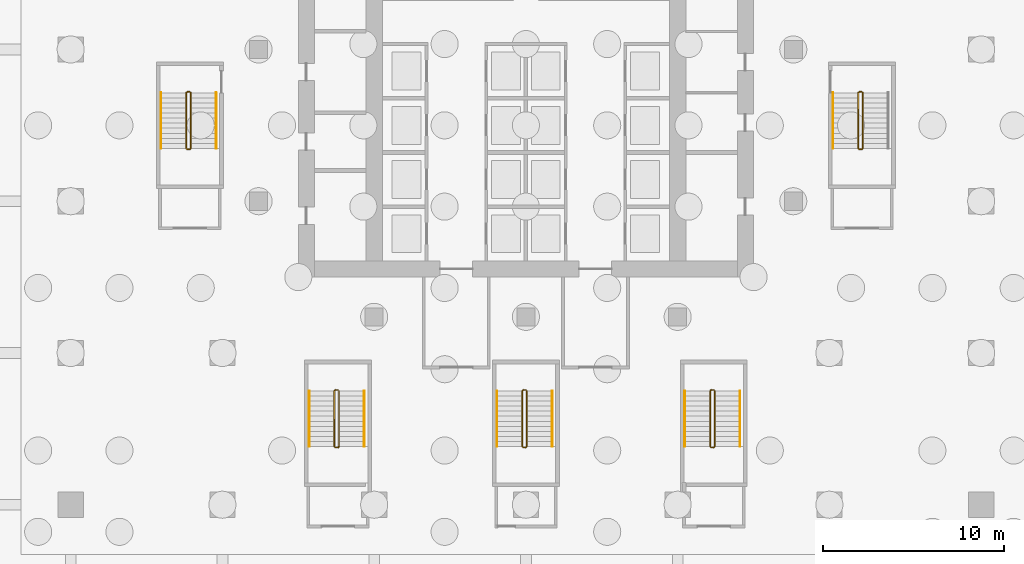
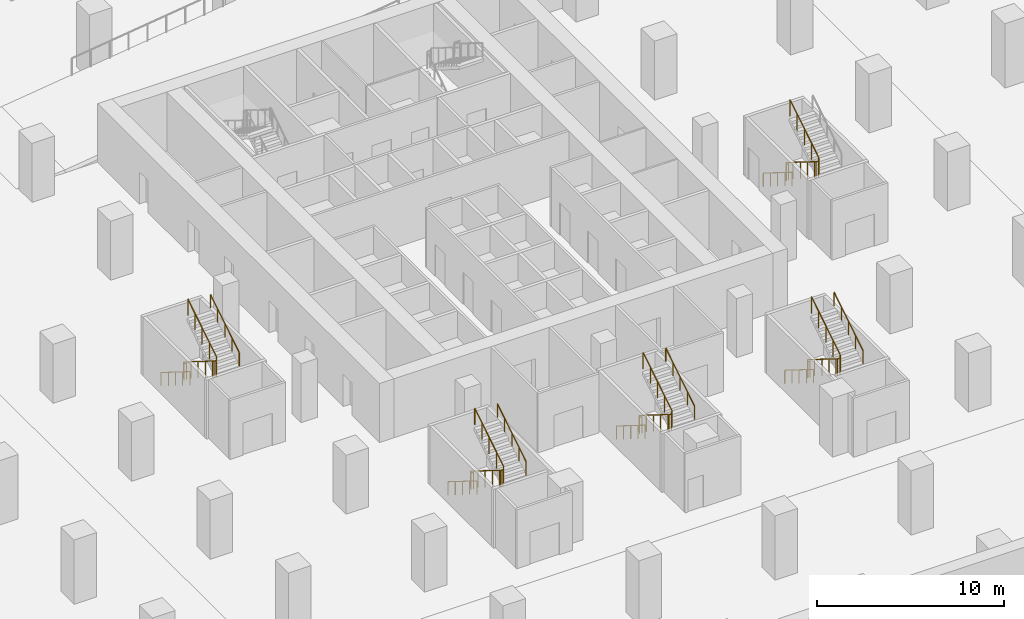
# One storey, part 17 of 22: 14 railings.
"""IFC4 building model written with IfcOpenShell, lengths in metres."""

import ifcopenshell
import ifcopenshell.guid

model = None  # the IFC model being written
_history = None  # IfcOwnerHistory: only IFC2X3 demands one
_inside = {}  # id of a spatial element -> (the spatial element, [elements in it])
_under = {}  # id of a project, library or spatial element -> (it, [spatial elements below it])
_declared = {}  # id of a project -> (the project, [libraries it declares])
_typed = {}  # id of a type object -> (the type object, [elements of that type])
_made_of = {}  # id of a material, layer set ... -> (it, [elements and type objects made of it])


def new_model(schema):
    """Start an empty IFC model of exactly this schema.

    Asked for "IFC4X3", IfcOpenShell would pick the latest addendum, in which some entities
    have other attributes; the version numbers below select the first issue.
    IFC2X3 requires an IfcOwnerHistory on every rooted entity: one is made here for all.
    """
    global model, _history
    if schema == "IFC4X3":
        model = ifcopenshell.file(schema_version=(4, 3, 0, 0))
    else:
        model = ifcopenshell.file(schema=schema)
    _inside.clear()
    _under.clear()
    _declared.clear()
    _typed.clear()
    _made_of.clear()
    _history = None
    if model.schema == "IFC2X3":
        org = make("IfcOrganization", Name="unknown")
        user = make(
            "IfcPersonAndOrganization",
            ThePerson=make("IfcPerson", FamilyName="unknown"),
            TheOrganization=org,
        )
        app = make(
            "IfcApplication",
            ApplicationDeveloper=org,
            Version="unknown",
            ApplicationFullName="unknown",
            ApplicationIdentifier="unknown",
        )
        _history = make(
            "IfcOwnerHistory",
            OwningUser=user,
            OwningApplication=app,
            ChangeAction="ADDED",
            CreationDate=0,
        )
    return model


def make(cls, **values):
    """One entity of the class cls with the attributes given. An attribute that is None is left unset."""
    return model.create_entity(
        cls, **{name: value for name, value in values.items() if value is not None}
    )


def rooted(cls, **values):
    """An entity with a GlobalId (a new one), such as an element, a storey or a relation."""
    return make(cls, GlobalId=ifcopenshell.guid.new(), OwnerHistory=_history, **values)


def si_unit(unit_type, name, prefix=None):
    """IfcSIUnit, for example si_unit("LENGTHUNIT", "METRE", prefix="MILLI")."""
    return make("IfcSIUnit", UnitType=unit_type, Prefix=prefix, Name=name)


def assignment(units):
    """IfcUnitAssignment: the units of a project."""
    return None if units is None else make("IfcUnitAssignment", Units=units)


def point(xyz):
    """IfcCartesianPoint."""
    return None if xyz is None else make("IfcCartesianPoint", Coordinates=xyz)


def direction(xyz):
    """IfcDirection."""
    return None if xyz is None else make("IfcDirection", DirectionRatios=xyz)


def frame(location, z_axis=None, x_axis=None):
    """IfcAxis2Placement3D, a coordinate frame: its origin and axes. An axis left out is left unset."""
    return make(
        "IfcAxis2Placement3D",
        Location=point(location),
        Axis=direction(z_axis),
        RefDirection=direction(x_axis),
    )


def frame_2d(location, x_axis=None):
    """IfcAxis2Placement2D, a coordinate frame in the plane: its origin and x axis."""
    return make(
        "IfcAxis2Placement2D", Location=point(location), RefDirection=direction(x_axis)
    )


def origin():
    """The frame at (0, 0, 0) with its axes left unset."""
    return frame((0.0, 0.0, 0.0))


def origin_2d():
    """The frame at (0, 0) in the plane with its x axis left unset."""
    return frame_2d((0.0, 0.0))


def place(relative_to, where):
    """IfcLocalPlacement: puts the frame where relative to a parent placement (None: the world)."""
    return make(
        "IfcLocalPlacement", PlacementRelTo=relative_to, RelativePlacement=where
    )


def context(
    kind, dimensions, precision=None, world=None, true_north=None, identifier=None
):
    """IfcGeometricRepresentationContext, for example the 3D "Model" context."""
    return make(
        "IfcGeometricRepresentationContext",
        ContextIdentifier=identifier,
        ContextType=kind,
        CoordinateSpaceDimension=dimensions,
        Precision=precision,
        WorldCoordinateSystem=world,
        TrueNorth=true_north,
    )


def subcontext(parent, identifier, kind, view, scale=None):
    """IfcGeometricRepresentationSubContext, for example "Body" below "Model"."""
    return make(
        "IfcGeometricRepresentationSubContext",
        ContextIdentifier=identifier,
        ContextType=kind,
        ParentContext=parent,
        TargetScale=scale,
        TargetView=view,
    )


def project(units=None, contexts=None):
    """IfcProject with its units and contexts."""
    return rooted(
        "IfcProject",
        Name="project",
        RepresentationContexts=contexts,
        UnitsInContext=assignment(units),
    )


def spatial(cls, under=None, at=None, **own):
    """A site, building, storey or space (cls), placed at a placement, below another one or the project."""
    s = rooted(cls, ObjectPlacement=at, **own)
    if under is not None:
        _under.setdefault(under.id(), (under, []))[1].append(s)
    return s


def profile(cls, at=None, kind="AREA", **sizes):
    """A parametric profile (cls). Its sizes go by their IFC names, for example OverallWidth=200.0."""
    return make(cls, ProfileType=kind, Position=at, **sizes)


def rectangle(**sizes):
    """IfcRectangleProfileDef."""
    return profile("IfcRectangleProfileDef", **sizes)


def extrude(swept, where, along, depth):
    """IfcExtrudedAreaSolid: the profile swept, set in the frame where, extruded along a direction by depth."""
    return make(
        "IfcExtrudedAreaSolid",
        SweptArea=swept,
        Position=where,
        ExtrudedDirection=direction(along),
        Depth=depth,
    )


def shape(context_of_items, identifier, shape_type, items):
    """IfcShapeRepresentation: the items that make up one representation, for example the "Body"."""
    return make(
        "IfcShapeRepresentation",
        ContextOfItems=context_of_items,
        RepresentationIdentifier=identifier,
        RepresentationType=shape_type,
        Items=items,
    )


def material(Name=None, Category=None):
    """IfcMaterial."""
    return make("IfcMaterial", Name=Name, Category=Category)


def made_of(thing, what):
    """Note that an element or type object is made of a material, layer set ...; save() writes the relation."""
    if what is not None:
        _made_of.setdefault(what.id(), (what, []))[1].append(thing)
    return thing


def type_object(cls, material=None, **own):
    """A type object (cls), such as IfcWallType, which elements share."""
    return made_of(rooted(cls, **own), material)


def element(
    cls,
    number,
    at=None,
    inside=None,
    cuts=None,
    type_object=None,
    material=None,
    context=None,
    identifier="Body",
    shape_type=None,
    held_by="IfcProductDefinitionShape",
    body=None,
    shapes=None,
    **own,
):
    """One element of the class cls, such as IfcWall. Its Tag is "e" and its number.

    at: its placement. inside: the storey or other place that contains it. cuts: it is an
    opening in that element (IfcRelVoidsElement). A single representation is given by context,
    identifier, shape_type and body (its items); several are given by shapes. held_by: the class
    of the entity that holds the representations. save() writes the other relations.
    """
    e = rooted(cls, Tag="e%d" % number, ObjectPlacement=at, **own)
    if body is not None:
        shapes = [shape(context, identifier, shape_type, body)]
    if shapes is not None:
        e.Representation = make(held_by, Representations=shapes)
    if inside is not None:
        _inside.setdefault(inside.id(), (inside, []))[1].append(e)
    if cuts is not None:
        rooted(
            "IfcRelVoidsElement", RelatingBuildingElement=cuts, RelatedOpeningElement=e
        )
    if type_object is not None:
        _typed.setdefault(type_object.id(), (type_object, []))[1].append(e)
    return made_of(e, material)


def aggregate(whole, parts):
    """IfcRelAggregates: a whole, such as a stair, and the parts it consists of."""
    return rooted("IfcRelAggregates", RelatingObject=whole, RelatedObjects=parts)


def save(model, path):
    """Write the relations noted so far, then the file.

    IfcRelAggregates (storeys below a building ...), IfcRelContainedInSpatialStructure (elements
    in a storey), IfcRelDefinesByType, IfcRelAssociatesMaterial and IfcRelDeclares: one each for
    every whole, place, type object, material and project.
    """
    for whole, parts in _under.values():
        aggregate(whole, parts)
    for where, things in _inside.values():
        rooted(
            "IfcRelContainedInSpatialStructure",
            RelatedElements=things,
            RelatingStructure=where,
        )
    for kind, things in _typed.values():
        rooted("IfcRelDefinesByType", RelatedObjects=things, RelatingType=kind)
    for what, things in _made_of.values():
        rooted("IfcRelAssociatesMaterial", RelatedObjects=things, RelatingMaterial=what)
    for by, libraries in _declared.values():
        rooted("IfcRelDeclares", RelatingContext=by, RelatedDefinitions=libraries)
    model.write(path)


model = new_model("IFC4")

# Units and contexts
model_context = context("Model", 3, precision=1e-05, world=origin(), true_north=direction((0.0, 1.0)))
body_context = subcontext(model_context, "Body", "Model", "MODEL_VIEW")
ifc_project = project(units=[si_unit("LENGTHUNIT", "METRE"), si_unit("AREAUNIT", "SQUARE_METRE"), si_unit("VOLUMEUNIT", "CUBIC_METRE"), si_unit("PLANEANGLEUNIT", "RADIAN"), si_unit("MASSUNIT", "GRAM", prefix="KILO")], contexts=[model_context])

# Site, building, storey
site_placement = place(None, origin())
site = spatial("IfcSite", under=ifc_project, at=site_placement, CompositionType="ELEMENT")
building_placement = place(site_placement, origin())
building = spatial("IfcBuilding", under=site, at=building_placement, Name="Vermilion Ogive Tower", CompositionType="ELEMENT")
storey_placement = place(building_placement, frame((0.0, 0.0, -8.39990234375)))
storey = spatial("IfcBuildingStorey", under=building, at=storey_placement, Name="B2", CompositionType="ELEMENT", Elevation=-8.39990234375)

# Railings
ifc_material_1 = material(Name="Steel S355 painted", Category="steel")
railing_type_1 = type_object("IfcRailingType", Name="Stair guard 1100", PredefinedType="GUARDRAIL", material=ifc_material_1)
railing_1_placement = place(storey_placement, frame((-10.39990234375, -14.64990234375, 0.0)))
element("IfcRailing", 1, at=railing_1_placement, inside=storey, type_object=railing_type_1, Name="B2 ST3 stair guard 4", PredefinedType="GUARDRAIL", context=body_context, shape_type="SweptSolid", body=[
    extrude(rectangle(XDim=0.048095703125, YDim=0.048095703125, at=origin_2d()), frame((0.0, 0.0, 1.076171875), z_axis=(-1.0, 0.0, 0.0), x_axis=(0.0, -1.0, 0.0)), (0.0, 0.0, 1.0), 0.150146484375),
    extrude(rectangle(XDim=0.048095703125, YDim=0.048095703125, at=origin_2d()), frame((-0.150146484375, 0.0, 1.076171875), z_axis=(-0.265383341853, -0.265383341853, 0.926899867156), x_axis=(0.707106781187, -0.707106781187, 0.0)), (0.0, 0.0, 1.0), 0.1884765625),
    extrude(rectangle(XDim=0.048095703125, YDim=0.048095703125, at=origin_2d()), frame((-0.2001953125, -0.050048828125, 1.2509765625), z_axis=(0.0, -0.847998304005, 0.529998940003), x_axis=(1.0, 0.0, 0.0)), (0.0, 0.0, 1.0), 3.632080078125),
    extrude(rectangle(XDim=0.048095703125, YDim=0.048095703125, at=origin_2d()), frame((-0.2001953125, -3.130126953125, 3.17578125), z_axis=(0.707106781187, -0.707106781187, 0.0), x_axis=(0.707106781187, 0.707106781187, 0.0)), (0.0, 0.0, 1.0), 0.07080078125),
    extrude(rectangle(XDim=0.048095703125, YDim=0.048095703125, at=origin_2d()), frame((-0.150146484375, -3.18017578125, 3.17578125), z_axis=(1.0, 0.0, 0.0), x_axis=(0.0, 1.0, 0.0)), (0.0, 0.0, 1.0), 0.150146484375),
    extrude(rectangle(XDim=0.048095703125, YDim=0.048095703125, at=origin_2d()), frame((0.0, -3.18017578125, 3.17578125), z_axis=(0.263862480399, 0.265155923931, 0.927399011991), x_axis=(-0.708833529934, 0.705375805398, 0.0)), (0.0, 0.0, 1.0), 0.188720703125),
    extrude(rectangle(XDim=0.048095703125, YDim=0.048095703125, at=origin_2d()), frame((0.0498046875, -3.130126953125, 3.35107421875), z_axis=(0.0, 0.847998304005, 0.529998940003), x_axis=(-1.0, 0.0, 0.0)), (0.0, 0.0, 1.0), 3.632080078125),
    extrude(rectangle(XDim=0.0419921875, YDim=0.0419921875, at=origin_2d()), origin(), (0.0, 0.0, 1.0), 1.052001953125),
    extrude(rectangle(XDim=0.0419921875, YDim=0.0419921875, at=origin_2d()), frame((-0.150146484375, 0.0, 0.0)), (0.0, 0.0, 1.0), 1.052001953125),
    extrude(rectangle(XDim=0.0419921875, YDim=0.0419921875, at=origin_2d()), frame((-0.2001953125, -0.050048828125, 0.1748046875)), (0.0, 0.0, 1.0), 1.052001953125),
    extrude(rectangle(XDim=0.0419921875, YDim=0.0419921875, at=origin_2d()), frame((-0.2001953125, -0.820068359375, 0.656005859375)), (0.0, 0.0, 1.0), 1.052001953125),
    extrude(rectangle(XDim=0.0419921875, YDim=0.0419921875, at=origin_2d()), frame((-0.2001953125, -1.590087890625, 1.13720703125)), (0.0, 0.0, 1.0), 1.052001953125),
    extrude(rectangle(XDim=0.0419921875, YDim=0.0419921875, at=origin_2d()), frame((-0.2001953125, -2.360107421875, 1.61865234375)), (0.0, 0.0, 1.0), 1.052001953125),
    extrude(rectangle(XDim=0.0419921875, YDim=0.0419921875, at=origin_2d()), frame((-0.2001953125, -3.130126953125, 2.099853515625)), (0.0, 0.0, 1.0), 1.052001953125),
    extrude(rectangle(XDim=0.0419921875, YDim=0.0419921875, at=origin_2d()), frame((-0.150146484375, -3.18017578125, 2.099853515625)), (0.0, 0.0, 1.0), 1.052001953125),
    extrude(rectangle(XDim=0.0419921875, YDim=0.0419921875, at=origin_2d()), frame((0.0, -3.18017578125, 2.099853515625)), (0.0, 0.0, 1.0), 1.052001953125),
    extrude(rectangle(XDim=0.0419921875, YDim=0.0419921875, at=origin_2d()), frame((0.0498046875, -3.130126953125, 2.27490234375)), (0.0, 0.0, 1.0), 1.052001953125),
    extrude(rectangle(XDim=0.0419921875, YDim=0.0419921875, at=origin_2d()), frame((0.0498046875, -2.360107421875, 2.756103515625)), (0.0, 0.0, 1.0), 1.052001953125),
    extrude(rectangle(XDim=0.0419921875, YDim=0.0419921875, at=origin_2d()), frame((0.0498046875, -1.590087890625, 3.2373046875)), (0.0, 0.0, 1.0), 1.052001953125),
    extrude(rectangle(XDim=0.0419921875, YDim=0.0419921875, at=origin_2d()), frame((0.0498046875, -0.820068359375, 3.71875)), (0.0, 0.0, 1.0), 1.052001953125),
    extrude(rectangle(XDim=0.0419921875, YDim=0.0419921875, at=origin_2d()), frame((0.0498046875, -0.050048828125, 4.199951171875)), (0.0, 0.0, 1.0), 1.052001953125),
])
railing_2_placement = place(storey_placement, frame((0.0, -14.64990234375, 0.0)))
element("IfcRailing", 2, at=railing_2_placement, inside=storey, type_object=railing_type_1, Name="B2 ST4 stair guard 4", PredefinedType="GUARDRAIL", context=body_context, shape_type="SweptSolid", body=[
    extrude(rectangle(XDim=0.048095703125, YDim=0.048095703125, at=origin_2d()), frame((0.0, 0.0, 1.076171875), z_axis=(-1.0, 0.0, 0.0), x_axis=(0.0, -1.0, 0.0)), (0.0, 0.0, 1.0), 0.14990234375),
    extrude(rectangle(XDim=0.048095703125, YDim=0.048095703125, at=origin_2d()), frame((-0.14990234375, 0.0, 1.076171875), z_axis=(-0.265383341853, -0.265383341853, 0.926899867156), x_axis=(0.707106781187, -0.707106781187, 0.0)), (0.0, 0.0, 1.0), 0.1884765625),
    extrude(rectangle(XDim=0.048095703125, YDim=0.048095703125, at=origin_2d()), frame((-0.199951171875, -0.050048828125, 1.2509765625), z_axis=(0.0, -0.847998304005, 0.529998940003), x_axis=(1.0, 0.0, 0.0)), (0.0, 0.0, 1.0), 3.632080078125),
    extrude(rectangle(XDim=0.048095703125, YDim=0.048095703125, at=origin_2d()), frame((-0.199951171875, -3.130126953125, 3.17578125), z_axis=(0.707106781187, -0.707106781187, 0.0), x_axis=(0.707106781187, 0.707106781187, 0.0)), (0.0, 0.0, 1.0), 0.07080078125),
    extrude(rectangle(XDim=0.048095703125, YDim=0.048095703125, at=origin_2d()), frame((-0.14990234375, -3.18017578125, 3.17578125), z_axis=(1.0, 0.0, 0.0), x_axis=(0.0, 1.0, 0.0)), (0.0, 0.0, 1.0), 0.14990234375),
    extrude(rectangle(XDim=0.048095703125, YDim=0.048095703125, at=origin_2d()), frame((0.0, -3.18017578125, 3.17578125), z_axis=(0.265065253269, 0.265065253269, 0.927081885822), x_axis=(-0.707106781187, 0.707106781187, 0.0)), (0.0, 0.0, 1.0), 0.188720703125),
    extrude(rectangle(XDim=0.048095703125, YDim=0.048095703125, at=origin_2d()), frame((0.050048828125, -3.130126953125, 3.35107421875), z_axis=(0.0, 0.847998304005, 0.529998940003), x_axis=(-1.0, 0.0, 0.0)), (0.0, 0.0, 1.0), 3.632080078125),
    extrude(rectangle(XDim=0.0419921875, YDim=0.0419921875, at=origin_2d()), origin(), (0.0, 0.0, 1.0), 1.052001953125),
    extrude(rectangle(XDim=0.0419921875, YDim=0.0419921875, at=origin_2d()), frame((-0.14990234375, 0.0, 0.0)), (0.0, 0.0, 1.0), 1.052001953125),
    extrude(rectangle(XDim=0.0419921875, YDim=0.0419921875, at=origin_2d()), frame((-0.199951171875, -0.050048828125, 0.1748046875)), (0.0, 0.0, 1.0), 1.052001953125),
    extrude(rectangle(XDim=0.0419921875, YDim=0.0419921875, at=origin_2d()), frame((-0.199951171875, -0.820068359375, 0.656005859375)), (0.0, 0.0, 1.0), 1.052001953125),
    extrude(rectangle(XDim=0.0419921875, YDim=0.0419921875, at=origin_2d()), frame((-0.199951171875, -1.590087890625, 1.13720703125)), (0.0, 0.0, 1.0), 1.052001953125),
    extrude(rectangle(XDim=0.0419921875, YDim=0.0419921875, at=origin_2d()), frame((-0.199951171875, -2.360107421875, 1.61865234375)), (0.0, 0.0, 1.0), 1.052001953125),
    extrude(rectangle(XDim=0.0419921875, YDim=0.0419921875, at=origin_2d()), frame((-0.199951171875, -3.130126953125, 2.099853515625)), (0.0, 0.0, 1.0), 1.052001953125),
    extrude(rectangle(XDim=0.0419921875, YDim=0.0419921875, at=origin_2d()), frame((-0.14990234375, -3.18017578125, 2.099853515625)), (0.0, 0.0, 1.0), 1.052001953125),
    extrude(rectangle(XDim=0.0419921875, YDim=0.0419921875, at=origin_2d()), frame((0.0, -3.18017578125, 2.099853515625)), (0.0, 0.0, 1.0), 1.052001953125),
    extrude(rectangle(XDim=0.0419921875, YDim=0.0419921875, at=origin_2d()), frame((0.050048828125, -3.130126953125, 2.27490234375)), (0.0, 0.0, 1.0), 1.052001953125),
    extrude(rectangle(XDim=0.0419921875, YDim=0.0419921875, at=origin_2d()), frame((0.050048828125, -2.360107421875, 2.756103515625)), (0.0, 0.0, 1.0), 1.052001953125),
    extrude(rectangle(XDim=0.0419921875, YDim=0.0419921875, at=origin_2d()), frame((0.050048828125, -1.590087890625, 3.2373046875)), (0.0, 0.0, 1.0), 1.052001953125),
    extrude(rectangle(XDim=0.0419921875, YDim=0.0419921875, at=origin_2d()), frame((0.050048828125, -0.820068359375, 3.71875)), (0.0, 0.0, 1.0), 1.052001953125),
    extrude(rectangle(XDim=0.0419921875, YDim=0.0419921875, at=origin_2d()), frame((0.050048828125, -0.050048828125, 4.199951171875)), (0.0, 0.0, 1.0), 1.052001953125),
])
railing_3_placement = place(storey_placement, frame((10.39990234375, -14.64990234375, 0.0)))
element("IfcRailing", 3, at=railing_3_placement, inside=storey, type_object=railing_type_1, Name="B2 ST5 stair guard 4", PredefinedType="GUARDRAIL", context=body_context, shape_type="SweptSolid", body=[
    extrude(rectangle(XDim=0.048095703125, YDim=0.048095703125, at=origin_2d()), frame((0.0, 0.0, 1.076171875), z_axis=(-1.0, 0.0, 0.0), x_axis=(0.0, -1.0, 0.0)), (0.0, 0.0, 1.0), 0.14990234375),
    extrude(rectangle(XDim=0.048095703125, YDim=0.048095703125, at=origin_2d()), frame((-0.14990234375, 0.0, 1.076171875), z_axis=(-0.265383341853, -0.265383341853, 0.926899867156), x_axis=(0.707106781187, -0.707106781187, 0.0)), (0.0, 0.0, 1.0), 0.1884765625),
    extrude(rectangle(XDim=0.048095703125, YDim=0.048095703125, at=origin_2d()), frame((-0.199951171875, -0.050048828125, 1.2509765625), z_axis=(0.0, -0.847998304005, 0.529998940003), x_axis=(1.0, 0.0, 0.0)), (0.0, 0.0, 1.0), 3.632080078125),
    extrude(rectangle(XDim=0.048095703125, YDim=0.048095703125, at=origin_2d()), frame((-0.199951171875, -3.130126953125, 3.17578125), z_axis=(0.707106781187, -0.707106781187, 0.0), x_axis=(0.707106781187, 0.707106781187, 0.0)), (0.0, 0.0, 1.0), 0.07080078125),
    extrude(rectangle(XDim=0.048095703125, YDim=0.048095703125, at=origin_2d()), frame((-0.14990234375, -3.18017578125, 3.17578125), z_axis=(1.0, 0.0, 0.0), x_axis=(0.0, 1.0, 0.0)), (0.0, 0.0, 1.0), 0.14990234375),
    extrude(rectangle(XDim=0.048095703125, YDim=0.048095703125, at=origin_2d()), frame((0.0, -3.18017578125, 3.17578125), z_axis=(0.265065253269, 0.265065253269, 0.927081885822), x_axis=(-0.707106781187, 0.707106781187, 0.0)), (0.0, 0.0, 1.0), 0.188720703125),
    extrude(rectangle(XDim=0.048095703125, YDim=0.048095703125, at=origin_2d()), frame((0.050048828125, -3.130126953125, 3.35107421875), z_axis=(0.0, 0.847998304005, 0.529998940003), x_axis=(-1.0, 0.0, 0.0)), (0.0, 0.0, 1.0), 3.632080078125),
    extrude(rectangle(XDim=0.0419921875, YDim=0.0419921875, at=origin_2d()), origin(), (0.0, 0.0, 1.0), 1.052001953125),
    extrude(rectangle(XDim=0.0419921875, YDim=0.0419921875, at=origin_2d()), frame((-0.14990234375, 0.0, 0.0)), (0.0, 0.0, 1.0), 1.052001953125),
    extrude(rectangle(XDim=0.0419921875, YDim=0.0419921875, at=origin_2d()), frame((-0.199951171875, -0.050048828125, 0.1748046875)), (0.0, 0.0, 1.0), 1.052001953125),
    extrude(rectangle(XDim=0.0419921875, YDim=0.0419921875, at=origin_2d()), frame((-0.199951171875, -0.820068359375, 0.656005859375)), (0.0, 0.0, 1.0), 1.052001953125),
    extrude(rectangle(XDim=0.0419921875, YDim=0.0419921875, at=origin_2d()), frame((-0.199951171875, -1.590087890625, 1.13720703125)), (0.0, 0.0, 1.0), 1.052001953125),
    extrude(rectangle(XDim=0.0419921875, YDim=0.0419921875, at=origin_2d()), frame((-0.199951171875, -2.360107421875, 1.61865234375)), (0.0, 0.0, 1.0), 1.052001953125),
    extrude(rectangle(XDim=0.0419921875, YDim=0.0419921875, at=origin_2d()), frame((-0.199951171875, -3.130126953125, 2.099853515625)), (0.0, 0.0, 1.0), 1.052001953125),
    extrude(rectangle(XDim=0.0419921875, YDim=0.0419921875, at=origin_2d()), frame((-0.14990234375, -3.18017578125, 2.099853515625)), (0.0, 0.0, 1.0), 1.052001953125),
    extrude(rectangle(XDim=0.0419921875, YDim=0.0419921875, at=origin_2d()), frame((0.0, -3.18017578125, 2.099853515625)), (0.0, 0.0, 1.0), 1.052001953125),
    extrude(rectangle(XDim=0.0419921875, YDim=0.0419921875, at=origin_2d()), frame((0.050048828125, -3.130126953125, 2.27490234375)), (0.0, 0.0, 1.0), 1.052001953125),
    extrude(rectangle(XDim=0.0419921875, YDim=0.0419921875, at=origin_2d()), frame((0.050048828125, -2.360107421875, 2.756103515625)), (0.0, 0.0, 1.0), 1.052001953125),
    extrude(rectangle(XDim=0.0419921875, YDim=0.0419921875, at=origin_2d()), frame((0.050048828125, -1.590087890625, 3.2373046875)), (0.0, 0.0, 1.0), 1.052001953125),
    extrude(rectangle(XDim=0.0419921875, YDim=0.0419921875, at=origin_2d()), frame((0.050048828125, -0.820068359375, 3.71875)), (0.0, 0.0, 1.0), 1.052001953125),
    extrude(rectangle(XDim=0.0419921875, YDim=0.0419921875, at=origin_2d()), frame((0.050048828125, -0.050048828125, 4.199951171875)), (0.0, 0.0, 1.0), 1.052001953125),
])
railing_4_placement = place(storey_placement, frame((18.60009765625, 1.85009765625, 0.0)))
element("IfcRailing", 4, at=railing_4_placement, inside=storey, type_object=railing_type_1, Name="B2 ST8 stair guard 4", PredefinedType="GUARDRAIL", context=body_context, shape_type="SweptSolid", body=[
    extrude(rectangle(XDim=0.048095703125, YDim=0.048095703125, at=origin_2d()), frame((0.0, 0.0, 1.076171875), z_axis=(-1.0, 0.0, 0.0), x_axis=(0.0, -1.0, 0.0)), (0.0, 0.0, 1.0), 0.150146484375),
    extrude(rectangle(XDim=0.048095703125, YDim=0.048095703125, at=origin_2d()), frame((-0.150146484375, 0.0, 1.076171875), z_axis=(-0.265383341853, -0.265383341853, 0.926899867156), x_axis=(0.707106781187, -0.707106781187, 0.0)), (0.0, 0.0, 1.0), 0.1884765625),
    extrude(rectangle(XDim=0.048095703125, YDim=0.048095703125, at=origin_2d()), frame((-0.2001953125, -0.050048828125, 1.2509765625), z_axis=(0.0, -0.847998304005, 0.529998940003), x_axis=(1.0, 0.0, 0.0)), (0.0, 0.0, 1.0), 3.632080078125),
    extrude(rectangle(XDim=0.048095703125, YDim=0.048095703125, at=origin_2d()), frame((-0.2001953125, -3.130126953125, 3.17578125), z_axis=(0.707106781187, -0.707106781187, 0.0), x_axis=(0.707106781187, 0.707106781187, 0.0)), (0.0, 0.0, 1.0), 0.07080078125),
    extrude(rectangle(XDim=0.048095703125, YDim=0.048095703125, at=origin_2d()), frame((-0.150146484375, -3.18017578125, 3.17578125), z_axis=(1.0, 0.0, 0.0), x_axis=(0.0, 1.0, 0.0)), (0.0, 0.0, 1.0), 0.150146484375),
    extrude(rectangle(XDim=0.048095703125, YDim=0.048095703125, at=origin_2d()), frame((0.0, -3.18017578125, 3.17578125), z_axis=(0.263862480399, 0.265155923931, 0.927399011991), x_axis=(-0.708833529934, 0.705375805398, 0.0)), (0.0, 0.0, 1.0), 0.188720703125),
    extrude(rectangle(XDim=0.048095703125, YDim=0.048095703125, at=origin_2d()), frame((0.0498046875, -3.130126953125, 3.35107421875), z_axis=(0.0, 0.847998304005, 0.529998940003), x_axis=(-1.0, 0.0, 0.0)), (0.0, 0.0, 1.0), 3.632080078125),
    extrude(rectangle(XDim=0.0419921875, YDim=0.0419921875, at=origin_2d()), origin(), (0.0, 0.0, 1.0), 1.052001953125),
    extrude(rectangle(XDim=0.0419921875, YDim=0.0419921875, at=origin_2d()), frame((-0.150146484375, 0.0, 0.0)), (0.0, 0.0, 1.0), 1.052001953125),
    extrude(rectangle(XDim=0.0419921875, YDim=0.0419921875, at=origin_2d()), frame((-0.2001953125, -0.050048828125, 0.1748046875)), (0.0, 0.0, 1.0), 1.052001953125),
    extrude(rectangle(XDim=0.0419921875, YDim=0.0419921875, at=origin_2d()), frame((-0.2001953125, -0.820068359375, 0.656005859375)), (0.0, 0.0, 1.0), 1.052001953125),
    extrude(rectangle(XDim=0.0419921875, YDim=0.0419921875, at=origin_2d()), frame((-0.2001953125, -1.590087890625, 1.13720703125)), (0.0, 0.0, 1.0), 1.052001953125),
    extrude(rectangle(XDim=0.0419921875, YDim=0.0419921875, at=origin_2d()), frame((-0.2001953125, -2.360107421875, 1.61865234375)), (0.0, 0.0, 1.0), 1.052001953125),
    extrude(rectangle(XDim=0.0419921875, YDim=0.0419921875, at=origin_2d()), frame((-0.2001953125, -3.130126953125, 2.099853515625)), (0.0, 0.0, 1.0), 1.052001953125),
    extrude(rectangle(XDim=0.0419921875, YDim=0.0419921875, at=origin_2d()), frame((-0.150146484375, -3.18017578125, 2.099853515625)), (0.0, 0.0, 1.0), 1.052001953125),
    extrude(rectangle(XDim=0.0419921875, YDim=0.0419921875, at=origin_2d()), frame((0.0, -3.18017578125, 2.099853515625)), (0.0, 0.0, 1.0), 1.052001953125),
    extrude(rectangle(XDim=0.0419921875, YDim=0.0419921875, at=origin_2d()), frame((0.0498046875, -3.130126953125, 2.27490234375)), (0.0, 0.0, 1.0), 1.052001953125),
    extrude(rectangle(XDim=0.0419921875, YDim=0.0419921875, at=origin_2d()), frame((0.0498046875, -2.360107421875, 2.756103515625)), (0.0, 0.0, 1.0), 1.052001953125),
    extrude(rectangle(XDim=0.0419921875, YDim=0.0419921875, at=origin_2d()), frame((0.0498046875, -1.590087890625, 3.2373046875)), (0.0, 0.0, 1.0), 1.052001953125),
    extrude(rectangle(XDim=0.0419921875, YDim=0.0419921875, at=origin_2d()), frame((0.0498046875, -0.820068359375, 3.71875)), (0.0, 0.0, 1.0), 1.052001953125),
    extrude(rectangle(XDim=0.0419921875, YDim=0.0419921875, at=origin_2d()), frame((0.0498046875, -0.050048828125, 4.199951171875)), (0.0, 0.0, 1.0), 1.052001953125),
])
railing_5_placement = place(storey_placement, frame((-18.60009765625, 1.85009765625, 0.0)))
element("IfcRailing", 5, at=railing_5_placement, inside=storey, type_object=railing_type_1, Name="B2 ST9 stair guard 4", PredefinedType="GUARDRAIL", context=body_context, shape_type="SweptSolid", body=[
    extrude(rectangle(XDim=0.048095703125, YDim=0.048095703125, at=origin_2d()), frame((0.0, 0.0, 1.076171875), z_axis=(-1.0, 0.0, 0.0), x_axis=(0.0, -1.0, 0.0)), (0.0, 0.0, 1.0), 0.14990234375),
    extrude(rectangle(XDim=0.048095703125, YDim=0.048095703125, at=origin_2d()), frame((-0.14990234375, 0.0, 1.076171875), z_axis=(-0.265383341853, -0.265383341853, 0.926899867156), x_axis=(0.707106781187, -0.707106781187, 0.0)), (0.0, 0.0, 1.0), 0.1884765625),
    extrude(rectangle(XDim=0.048095703125, YDim=0.048095703125, at=origin_2d()), frame((-0.199951171875, -0.050048828125, 1.2509765625), z_axis=(0.0, -0.847998304005, 0.529998940003), x_axis=(1.0, 0.0, 0.0)), (0.0, 0.0, 1.0), 3.632080078125),
    extrude(rectangle(XDim=0.048095703125, YDim=0.048095703125, at=origin_2d()), frame((-0.199951171875, -3.130126953125, 3.17578125), z_axis=(0.707106781187, -0.707106781187, 0.0), x_axis=(0.707106781187, 0.707106781187, 0.0)), (0.0, 0.0, 1.0), 0.07080078125),
    extrude(rectangle(XDim=0.048095703125, YDim=0.048095703125, at=origin_2d()), frame((-0.14990234375, -3.18017578125, 3.17578125), z_axis=(1.0, 0.0, 0.0), x_axis=(0.0, 1.0, 0.0)), (0.0, 0.0, 1.0), 0.14990234375),
    extrude(rectangle(XDim=0.048095703125, YDim=0.048095703125, at=origin_2d()), frame((0.0, -3.18017578125, 3.17578125), z_axis=(0.265065253269, 0.265065253269, 0.927081885822), x_axis=(-0.707106781187, 0.707106781187, 0.0)), (0.0, 0.0, 1.0), 0.188720703125),
    extrude(rectangle(XDim=0.048095703125, YDim=0.048095703125, at=origin_2d()), frame((0.050048828125, -3.130126953125, 3.35107421875), z_axis=(0.0, 0.847998304005, 0.529998940003), x_axis=(-1.0, 0.0, 0.0)), (0.0, 0.0, 1.0), 3.632080078125),
    extrude(rectangle(XDim=0.0419921875, YDim=0.0419921875, at=origin_2d()), origin(), (0.0, 0.0, 1.0), 1.052001953125),
    extrude(rectangle(XDim=0.0419921875, YDim=0.0419921875, at=origin_2d()), frame((-0.14990234375, 0.0, 0.0)), (0.0, 0.0, 1.0), 1.052001953125),
    extrude(rectangle(XDim=0.0419921875, YDim=0.0419921875, at=origin_2d()), frame((-0.199951171875, -0.050048828125, 0.1748046875)), (0.0, 0.0, 1.0), 1.052001953125),
    extrude(rectangle(XDim=0.0419921875, YDim=0.0419921875, at=origin_2d()), frame((-0.199951171875, -0.820068359375, 0.656005859375)), (0.0, 0.0, 1.0), 1.052001953125),
    extrude(rectangle(XDim=0.0419921875, YDim=0.0419921875, at=origin_2d()), frame((-0.199951171875, -1.590087890625, 1.13720703125)), (0.0, 0.0, 1.0), 1.052001953125),
    extrude(rectangle(XDim=0.0419921875, YDim=0.0419921875, at=origin_2d()), frame((-0.199951171875, -2.360107421875, 1.61865234375)), (0.0, 0.0, 1.0), 1.052001953125),
    extrude(rectangle(XDim=0.0419921875, YDim=0.0419921875, at=origin_2d()), frame((-0.199951171875, -3.130126953125, 2.099853515625)), (0.0, 0.0, 1.0), 1.052001953125),
    extrude(rectangle(XDim=0.0419921875, YDim=0.0419921875, at=origin_2d()), frame((-0.14990234375, -3.18017578125, 2.099853515625)), (0.0, 0.0, 1.0), 1.052001953125),
    extrude(rectangle(XDim=0.0419921875, YDim=0.0419921875, at=origin_2d()), frame((0.0, -3.18017578125, 2.099853515625)), (0.0, 0.0, 1.0), 1.052001953125),
    extrude(rectangle(XDim=0.0419921875, YDim=0.0419921875, at=origin_2d()), frame((0.050048828125, -3.130126953125, 2.27490234375)), (0.0, 0.0, 1.0), 1.052001953125),
    extrude(rectangle(XDim=0.0419921875, YDim=0.0419921875, at=origin_2d()), frame((0.050048828125, -2.360107421875, 2.756103515625)), (0.0, 0.0, 1.0), 1.052001953125),
    extrude(rectangle(XDim=0.0419921875, YDim=0.0419921875, at=origin_2d()), frame((0.050048828125, -1.590087890625, 3.2373046875)), (0.0, 0.0, 1.0), 1.052001953125),
    extrude(rectangle(XDim=0.0419921875, YDim=0.0419921875, at=origin_2d()), frame((0.050048828125, -0.820068359375, 3.71875)), (0.0, 0.0, 1.0), 1.052001953125),
    extrude(rectangle(XDim=0.0419921875, YDim=0.0419921875, at=origin_2d()), frame((0.050048828125, -0.050048828125, 4.199951171875)), (0.0, 0.0, 1.0), 1.052001953125),
])
ifc_material_2 = material(Name="Stainless steel", Category="steel")
railing_type_2 = type_object("IfcRailingType", Name="Stair handrail 900", PredefinedType="HANDRAIL", material=ifc_material_2)
railing_6_placement = place(storey_placement, frame((-12.0, -14.699951171875, 0.1748046875)))
element("IfcRailing", 6, at=railing_6_placement, inside=storey, type_object=railing_type_2, Name="B2 ST3 stair handrail 1", PredefinedType="HANDRAIL", context=body_context, shape_type="SweptSolid", body=[
    extrude(rectangle(XDim=0.048095703125, YDim=0.048095703125, at=origin_2d()), frame((0.0, 0.0, 0.8759765625), z_axis=(0.0, -0.847998304005, 0.529998940003), x_axis=(1.0, 0.0, 0.0)), (0.0, 0.0, 1.0), 3.632080078125),
    extrude(rectangle(XDim=0.0419921875, YDim=0.0419921875, at=origin_2d()), origin(), (0.0, 0.0, 1.0), 0.851806640625),
    extrude(rectangle(XDim=0.0419921875, YDim=0.0419921875, at=origin_2d()), frame((0.0, -0.77001953125, 0.481201171875)), (0.0, 0.0, 1.0), 0.851806640625),
    extrude(rectangle(XDim=0.0419921875, YDim=0.0419921875, at=origin_2d()), frame((0.0, -1.5400390625, 0.96240234375)), (0.0, 0.0, 1.0), 0.851806640625),
    extrude(rectangle(XDim=0.0419921875, YDim=0.0419921875, at=origin_2d()), frame((0.0, -2.31005859375, 1.44384765625)), (0.0, 0.0, 1.0), 0.851806640625),
    extrude(rectangle(XDim=0.0419921875, YDim=0.0419921875, at=origin_2d()), frame((0.0, -3.080078125, 1.925048828125)), (0.0, 0.0, 1.0), 0.851806640625),
])
railing_7_placement = place(storey_placement, frame((-8.949951171875, -17.780029296875, 2.27490234375)))
element("IfcRailing", 7, at=railing_7_placement, inside=storey, type_object=railing_type_2, Name="B2 ST3 stair handrail 2", PredefinedType="HANDRAIL", context=body_context, shape_type="SweptSolid", body=[
    extrude(rectangle(XDim=0.048095703125, YDim=0.048095703125, at=origin_2d()), frame((0.0, 0.0, 0.8759765625), z_axis=(0.0, 0.847998304005, 0.529998940003), x_axis=(-1.0, 0.0, 0.0)), (0.0, 0.0, 1.0), 3.632080078125),
    extrude(rectangle(XDim=0.0419921875, YDim=0.0419921875, at=origin_2d()), origin(), (0.0, 0.0, 1.0), 0.851806640625),
    extrude(rectangle(XDim=0.0419921875, YDim=0.0419921875, at=origin_2d()), frame((0.0, 0.77001953125, 0.481201171875)), (0.0, 0.0, 1.0), 0.851806640625),
    extrude(rectangle(XDim=0.0419921875, YDim=0.0419921875, at=origin_2d()), frame((0.0, 1.5400390625, 0.96240234375)), (0.0, 0.0, 1.0), 0.851806640625),
    extrude(rectangle(XDim=0.0419921875, YDim=0.0419921875, at=origin_2d()), frame((0.0, 2.31005859375, 1.44384765625)), (0.0, 0.0, 1.0), 0.851806640625),
    extrude(rectangle(XDim=0.0419921875, YDim=0.0419921875, at=origin_2d()), frame((0.0, 3.080078125, 1.925048828125)), (0.0, 0.0, 1.0), 0.851806640625),
])
railing_8_placement = place(storey_placement, frame((-1.60009765625, -14.699951171875, 0.1748046875)))
element("IfcRailing", 8, at=railing_8_placement, inside=storey, type_object=railing_type_2, Name="B2 ST4 stair handrail 1", PredefinedType="HANDRAIL", context=body_context, shape_type="SweptSolid", body=[
    extrude(rectangle(XDim=0.048095703125, YDim=0.048095703125, at=origin_2d()), frame((0.0, 0.0, 0.8759765625), z_axis=(0.0, -0.847998304005, 0.529998940003), x_axis=(1.0, 0.0, 0.0)), (0.0, 0.0, 1.0), 3.632080078125),
    extrude(rectangle(XDim=0.0419921875, YDim=0.0419921875, at=origin_2d()), origin(), (0.0, 0.0, 1.0), 0.851806640625),
    extrude(rectangle(XDim=0.0419921875, YDim=0.0419921875, at=origin_2d()), frame((0.0, -0.77001953125, 0.481201171875)), (0.0, 0.0, 1.0), 0.851806640625),
    extrude(rectangle(XDim=0.0419921875, YDim=0.0419921875, at=origin_2d()), frame((0.0, -1.5400390625, 0.96240234375)), (0.0, 0.0, 1.0), 0.851806640625),
    extrude(rectangle(XDim=0.0419921875, YDim=0.0419921875, at=origin_2d()), frame((0.0, -2.31005859375, 1.44384765625)), (0.0, 0.0, 1.0), 0.851806640625),
    extrude(rectangle(XDim=0.0419921875, YDim=0.0419921875, at=origin_2d()), frame((0.0, -3.080078125, 1.925048828125)), (0.0, 0.0, 1.0), 0.851806640625),
])
railing_9_placement = place(storey_placement, frame((1.449951171875, -17.780029296875, 2.27490234375)))
element("IfcRailing", 9, at=railing_9_placement, inside=storey, type_object=railing_type_2, Name="B2 ST4 stair handrail 2", PredefinedType="HANDRAIL", context=body_context, shape_type="SweptSolid", body=[
    extrude(rectangle(XDim=0.048095703125, YDim=0.048095703125, at=origin_2d()), frame((0.0, 0.0, 0.8759765625), z_axis=(0.0, 0.847998304005, 0.529998940003), x_axis=(-1.0, 0.0, 0.0)), (0.0, 0.0, 1.0), 3.632080078125),
    extrude(rectangle(XDim=0.0419921875, YDim=0.0419921875, at=origin_2d()), origin(), (0.0, 0.0, 1.0), 0.851806640625),
    extrude(rectangle(XDim=0.0419921875, YDim=0.0419921875, at=origin_2d()), frame((0.0, 0.77001953125, 0.481201171875)), (0.0, 0.0, 1.0), 0.851806640625),
    extrude(rectangle(XDim=0.0419921875, YDim=0.0419921875, at=origin_2d()), frame((0.0, 1.5400390625, 0.96240234375)), (0.0, 0.0, 1.0), 0.851806640625),
    extrude(rectangle(XDim=0.0419921875, YDim=0.0419921875, at=origin_2d()), frame((0.0, 2.31005859375, 1.44384765625)), (0.0, 0.0, 1.0), 0.851806640625),
    extrude(rectangle(XDim=0.0419921875, YDim=0.0419921875, at=origin_2d()), frame((0.0, 3.080078125, 1.925048828125)), (0.0, 0.0, 1.0), 0.851806640625),
])
railing_10_placement = place(storey_placement, frame((8.800048828125, -14.699951171875, 0.1748046875)))
element("IfcRailing", 10, at=railing_10_placement, inside=storey, type_object=railing_type_2, Name="B2 ST5 stair handrail 1", PredefinedType="HANDRAIL", context=body_context, shape_type="SweptSolid", body=[
    extrude(rectangle(XDim=0.048095703125, YDim=0.048095703125, at=origin_2d()), frame((0.0, 0.0, 0.8759765625), z_axis=(0.0, -0.847998304005, 0.529998940003), x_axis=(1.0, 0.0, 0.0)), (0.0, 0.0, 1.0), 3.632080078125),
    extrude(rectangle(XDim=0.0419921875, YDim=0.0419921875, at=origin_2d()), origin(), (0.0, 0.0, 1.0), 0.851806640625),
    extrude(rectangle(XDim=0.0419921875, YDim=0.0419921875, at=origin_2d()), frame((0.0, -0.77001953125, 0.481201171875)), (0.0, 0.0, 1.0), 0.851806640625),
    extrude(rectangle(XDim=0.0419921875, YDim=0.0419921875, at=origin_2d()), frame((0.0, -1.5400390625, 0.96240234375)), (0.0, 0.0, 1.0), 0.851806640625),
    extrude(rectangle(XDim=0.0419921875, YDim=0.0419921875, at=origin_2d()), frame((0.0, -2.31005859375, 1.44384765625)), (0.0, 0.0, 1.0), 0.851806640625),
    extrude(rectangle(XDim=0.0419921875, YDim=0.0419921875, at=origin_2d()), frame((0.0, -3.080078125, 1.925048828125)), (0.0, 0.0, 1.0), 0.851806640625),
])
railing_11_placement = place(storey_placement, frame((11.85009765625, -17.780029296875, 2.27490234375)))
element("IfcRailing", 11, at=railing_11_placement, inside=storey, type_object=railing_type_2, Name="B2 ST5 stair handrail 2", PredefinedType="HANDRAIL", context=body_context, shape_type="SweptSolid", body=[
    extrude(rectangle(XDim=0.048095703125, YDim=0.048095703125, at=origin_2d()), frame((0.0, 0.0, 0.8759765625), z_axis=(0.0, 0.847998304005, 0.529998940003), x_axis=(-1.0, 0.0, 0.0)), (0.0, 0.0, 1.0), 3.632080078125),
    extrude(rectangle(XDim=0.0419921875, YDim=0.0419921875, at=origin_2d()), origin(), (0.0, 0.0, 1.0), 0.851806640625),
    extrude(rectangle(XDim=0.0419921875, YDim=0.0419921875, at=origin_2d()), frame((0.0, 0.77001953125, 0.481201171875)), (0.0, 0.0, 1.0), 0.851806640625),
    extrude(rectangle(XDim=0.0419921875, YDim=0.0419921875, at=origin_2d()), frame((0.0, 1.5400390625, 0.96240234375)), (0.0, 0.0, 1.0), 0.851806640625),
    extrude(rectangle(XDim=0.0419921875, YDim=0.0419921875, at=origin_2d()), frame((0.0, 2.31005859375, 1.44384765625)), (0.0, 0.0, 1.0), 0.851806640625),
    extrude(rectangle(XDim=0.0419921875, YDim=0.0419921875, at=origin_2d()), frame((0.0, 3.080078125, 1.925048828125)), (0.0, 0.0, 1.0), 0.851806640625),
])
for number, where, name in (
    (12, (17.0, 1.800048828125, 0.1748046875), "B2 ST8 stair handrail 1"),
    (13, (-20.199951171875, 1.800048828125, 0.1748046875), "B2 ST9 stair handrail 1"),
):
    element("IfcRailing", number, at=place(storey_placement, frame(where)), inside=storey, type_object=railing_type_2, Name=name, PredefinedType="HANDRAIL", context=body_context, shape_type="SweptSolid", body=[
        extrude(rectangle(XDim=0.048095703125, YDim=0.048095703125, at=origin_2d()), frame((0.0, 0.0, 0.8759765625), z_axis=(0.0, -0.847998304005, 0.529998940003), x_axis=(1.0, 0.0, 0.0)), (0.0, 0.0, 1.0), 3.632080078125),
        extrude(rectangle(XDim=0.0419921875, YDim=0.0419921875, at=origin_2d()), origin(), (0.0, 0.0, 1.0), 0.851806640625),
        extrude(rectangle(XDim=0.0419921875, YDim=0.0419921875, at=origin_2d()), frame((0.0, -0.77001953125, 0.481201171875)), (0.0, 0.0, 1.0), 0.851806640625),
        extrude(rectangle(XDim=0.0419921875, YDim=0.0419921875, at=origin_2d()), frame((0.0, -1.5400390625, 0.96240234375)), (0.0, 0.0, 1.0), 0.851806640625),
        extrude(rectangle(XDim=0.0419921875, YDim=0.0419921875, at=origin_2d()), frame((0.0, -2.31005859375, 1.44384765625)), (0.0, 0.0, 1.0), 0.851806640625),
        extrude(rectangle(XDim=0.0419921875, YDim=0.0419921875, at=origin_2d()), frame((0.0, -3.080078125, 1.925048828125)), (0.0, 0.0, 1.0), 0.851806640625),
    ])
railing_12_placement = place(storey_placement, frame((-17.14990234375, -1.280029296875, 2.27490234375)))
element("IfcRailing", 14, at=railing_12_placement, inside=storey, type_object=railing_type_2, Name="B2 ST9 stair handrail 2", PredefinedType="HANDRAIL", context=body_context, shape_type="SweptSolid", body=[
    extrude(rectangle(XDim=0.048095703125, YDim=0.048095703125, at=origin_2d()), frame((0.0, 0.0, 0.8759765625), z_axis=(0.0, 0.847998304005, 0.529998940003), x_axis=(-1.0, 0.0, 0.0)), (0.0, 0.0, 1.0), 3.632080078125),
    extrude(rectangle(XDim=0.0419921875, YDim=0.0419921875, at=origin_2d()), origin(), (0.0, 0.0, 1.0), 0.851806640625),
    extrude(rectangle(XDim=0.0419921875, YDim=0.0419921875, at=origin_2d()), frame((0.0, 0.77001953125, 0.481201171875)), (0.0, 0.0, 1.0), 0.851806640625),
    extrude(rectangle(XDim=0.0419921875, YDim=0.0419921875, at=origin_2d()), frame((0.0, 1.5400390625, 0.96240234375)), (0.0, 0.0, 1.0), 0.851806640625),
    extrude(rectangle(XDim=0.0419921875, YDim=0.0419921875, at=origin_2d()), frame((0.0, 2.31005859375, 1.44384765625)), (0.0, 0.0, 1.0), 0.851806640625),
    extrude(rectangle(XDim=0.0419921875, YDim=0.0419921875, at=origin_2d()), frame((0.0, 3.080078125, 1.925048828125)), (0.0, 0.0, 1.0), 0.851806640625),
])

save(model, "model.ifc")
